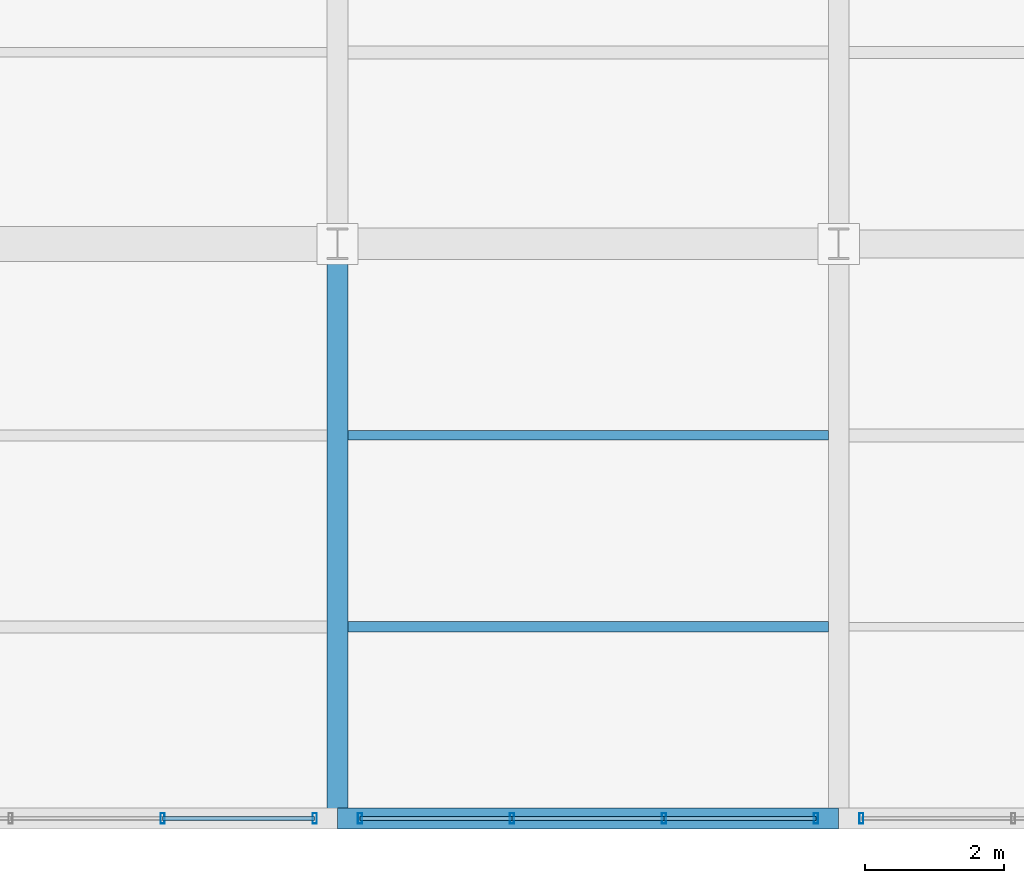
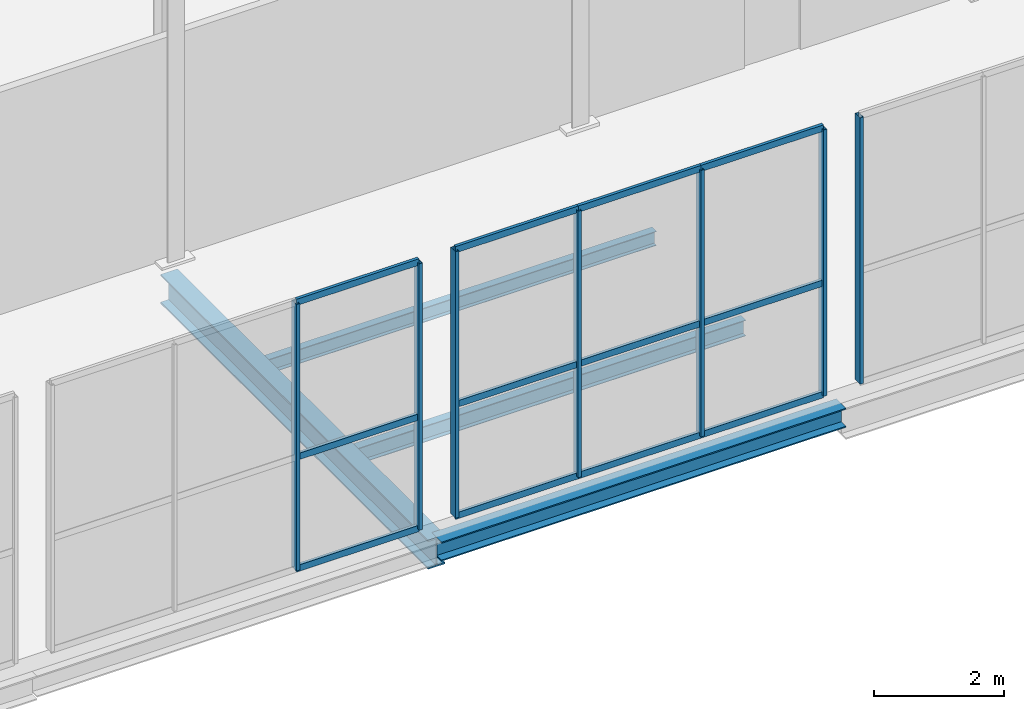
# One storey, part 76 of 147: 19 members, 4 beams, 3 elements without a shape of their own.
"""IFC4 building model written with IfcOpenShell, lengths in metres."""

from ifc_helpers import new_model, si_unit, direction, frame, origin, origin_2d, place, context, subcontext, project, spatial, hollow_rectangle, i_section, extrude, material, layer, layer_set, material_profile, profile_set, type_object, element, aggregate, save


model = new_model("IFC4")

# Units and contexts
model_context = context("Model", 3, precision=1e-05, world=origin(), true_north=direction((0.0, 1.0)))
body_context = subcontext(model_context, "Body", "Model", "MODEL_VIEW")
ifc_project = project(units=[si_unit("LENGTHUNIT", "METRE"), si_unit("AREAUNIT", "SQUARE_METRE"), si_unit("VOLUMEUNIT", "CUBIC_METRE"), si_unit("PLANEANGLEUNIT", "RADIAN"), si_unit("MASSUNIT", "GRAM", prefix="KILO")], contexts=[model_context])

# Site, building, storey
site_placement = place(None, origin())
site = spatial("IfcSite", under=ifc_project, at=site_placement, CompositionType="ELEMENT")
building_placement = place(site_placement, origin())
building = spatial("IfcBuilding", under=site, at=building_placement, Name="Sundgate Opera House", CompositionType="ELEMENT")
storey_placement = place(building_placement, frame((0.0, 0.0, 6.0)))
storey = spatial("IfcBuildingStorey", under=building, at=storey_placement, Name="L01", CompositionType="ELEMENT", Elevation=6.0)

# Beams
ifc_material_1 = material(Name="Steel S355J2", Category="steel")
ifc_material_profile_1 = material_profile(ifc_material_1, i_section(OverallWidth=0.300048828125, OverallDepth=0.360107421875, WebThickness=0.012451171875, FlangeThickness=0.0224609375, at=origin_2d()), Name="HEB 360")
ifc_profile_set_1 = profile_set([ifc_material_profile_1], Name="Steel S355J2")
beam_type_1 = type_object("IfcBeamType", Name="BM-GR-HEB360", PredefinedType="BEAM", material=ifc_profile_set_1)
beam_1_placement = place(storey_placement, frame((131.39990234375, 0.0, -0.47998046875), z_axis=(1.0, 0.0, 0.0), x_axis=(0.0, 1.0, 0.0)))
element("IfcBeam", 1, at=beam_1_placement, inside=storey, type_object=beam_type_1, Name="L01 Primary E-W Girder B1277", PredefinedType="BEAM", context=body_context, shape_type="SweptSolid", body=[
    extrude(i_section(OverallWidth=0.300048828125, OverallDepth=0.360107421875, WebThickness=0.012451171875, FlangeThickness=0.0224609375, at=origin_2d()), origin(), (0.0, 0.0, 1.0), 7.2001953125),
])
ifc_material_2 = material(Name="Steel S355J2", Category="steel")
ifc_material_profile_2 = material_profile(ifc_material_2, i_section(OverallWidth=0.300048828125, OverallDepth=0.550048828125, WebThickness=0.014892578125, FlangeThickness=0.029052734375, at=origin_2d()), Name="HEB 550")
ifc_profile_set_2 = profile_set([ifc_material_profile_2], Name="Steel S355J2")
beam_type_2 = type_object("IfcBeamType", Name="BM-GR-HEB550", PredefinedType="BEAM", material=ifc_profile_set_2)
beam_2_placement = place(storey_placement, frame((131.39990234375, 0.0, -0.574951171875), z_axis=(0.0, 1.0, 0.0), x_axis=(-1.0, 0.0, 0.0)))
element("IfcBeam", 2, at=beam_2_placement, inside=storey, type_object=beam_type_2, Name="L01 Primary N-S Girder B1207", PredefinedType="BEAM", context=body_context, shape_type="SweptSolid", body=[
    extrude(i_section(OverallWidth=0.300048828125, OverallDepth=0.550048828125, WebThickness=0.014892578125, FlangeThickness=0.029052734375, at=origin_2d()), origin(), (0.0, 0.0, 1.0), 8.25),
])
ifc_material_3 = material(Name="Steel S355J2", Category="steel")
ifc_material_profile_3 = material_profile(ifc_material_3, i_section(OverallWidth=0.135009765625, OverallDepth=0.27001953125, WebThickness=0.006591796875, FlangeThickness=0.01025390625, at=origin_2d()), Name="IPE 270")
ifc_profile_set_3 = profile_set([ifc_material_profile_3], Name="Steel S355J2")
beam_type_3 = type_object("IfcBeamType", Name="BM-JS-IPE270", PredefinedType="JOIST", material=ifc_profile_set_3)
beam_3_placement = place(storey_placement, frame((131.550048828125, 5.5, -0.43505859375), z_axis=(1.0, 0.0, 0.0), x_axis=(0.0, 1.0, 0.0)))
element("IfcBeam", 3, at=beam_3_placement, inside=storey, type_object=beam_type_3, Name="L01 Secondary Floor Joist B1489", PredefinedType="JOIST", context=body_context, shape_type="SweptSolid", body=[
    extrude(i_section(OverallWidth=0.135009765625, OverallDepth=0.27001953125, WebThickness=0.006591796875, FlangeThickness=0.01025390625, at=origin_2d()), origin(), (0.0, 0.0, 1.0), 6.89990234375),
])
ifc_material_4 = material(Name="Steel S355J2", Category="steel")
ifc_material_profile_4 = material_profile(ifc_material_4, i_section(OverallWidth=0.14990234375, OverallDepth=0.300048828125, WebThickness=0.007080078125, FlangeThickness=0.0107421875, at=origin_2d()), Name="IPE 300")
ifc_profile_set_4 = profile_set([ifc_material_profile_4], Name="Steel S355J2")
beam_type_4 = type_object("IfcBeamType", Name="BM-JS-IPE300", PredefinedType="JOIST", material=ifc_profile_set_4)
beam_4_placement = place(storey_placement, frame((131.550048828125, 2.75, -0.449951171875), z_axis=(1.0, 0.0, 0.0), x_axis=(0.0, 1.0, 0.0)))
element("IfcBeam", 4, at=beam_4_placement, inside=storey, type_object=beam_type_4, Name="L01 Secondary Floor Joist B1488", PredefinedType="JOIST", context=body_context, shape_type="SweptSolid", body=[
    extrude(i_section(OverallWidth=0.14990234375, OverallDepth=0.300048828125, WebThickness=0.007080078125, FlangeThickness=0.0107421875, at=origin_2d()), origin(), (0.0, 0.0, 1.0), 6.89990234375),
])

# Curtain wall, members
ifc_material_5 = material(Name="Anodized aluminium and low-iron glass", Category="aluminium")
ifc_layer = layer(ifc_material_5, 0.14990234375)
ifc_layer_set = layer_set([ifc_layer], Name="Anodized aluminium and low-iron glass")
curtain_wall_type = type_object("IfcCurtainWallType", Name="CW-WORKSHOP-DARK", PredefinedType="NOTDEFINED", material=ifc_layer_set)
curtain_wall_1_placement = place(storey_placement, origin())
curtain_wall_1 = element("IfcCurtainWall", 5, at=curtain_wall_1_placement, inside=storey, type_object=curtain_wall_type, Name="L01 Curtain Wall CW139", PredefinedType="NOTDEFINED")
ifc_material_6 = material(Name="Anodized aluminium EN AW-6063", Category="aluminium")
ifc_material_profile_5 = material_profile(ifc_material_6, hollow_rectangle(XDim=0.06005859375, YDim=0.14990234375, WallThickness=0.00390625, at=origin_2d()), Name="CWM 150x60x4")
ifc_profile_set_5 = profile_set([ifc_material_profile_5], Name="Anodized aluminium EN AW-6063")
member_type_1 = type_object("IfcMemberType", Name="CWM-ALU-150x60", PredefinedType="MULLION", material=ifc_profile_set_5)
member_1_placement = place(storey_placement, frame((131.074951171875, 0.0, 0.0), z_axis=(0.0, 0.0, 1.0), x_axis=(1.0, 0.0, 0.0)))
member_1 = element("IfcMember", 6, at=member_1_placement, type_object=member_type_1, Name="CW139 Mullion 1", PredefinedType="MULLION", context=body_context, shape_type="SweptSolid", body=[
    extrude(hollow_rectangle(XDim=0.06005859375, YDim=0.14990234375, WallThickness=0.00390625, at=origin_2d()), origin(), (0.0, 0.0, 1.0), 5.014892578125),
])
member_2_placement = place(storey_placement, frame((128.8916015625, 0.0, 0.0), z_axis=(0.0, 0.0, 1.0), x_axis=(1.0, 0.0, 0.0)))
member_2 = element("IfcMember", 7, at=member_2_placement, type_object=member_type_1, Name="CW139 Mullion 2", PredefinedType="MULLION", context=body_context, shape_type="SweptSolid", body=[
    extrude(hollow_rectangle(XDim=0.06005859375, YDim=0.14990234375, WallThickness=0.00390625, at=origin_2d()), origin(), (0.0, 0.0, 1.0), 5.014892578125),
])

curtain_wall_2_placement = place(storey_placement, origin())
curtain_wall_2 = element("IfcCurtainWall", 8, at=curtain_wall_2_placement, inside=storey, type_object=curtain_wall_type, Name="L01 Curtain Wall CW140", PredefinedType="NOTDEFINED")
member_3_placement = place(storey_placement, frame((138.27490234375, 0.0, 0.0), z_axis=(0.0, 0.0, 1.0), x_axis=(1.0, 0.0, 0.0)))
member_3 = element("IfcMember", 9, at=member_3_placement, type_object=member_type_1, Name="CW140 Mullion 1", PredefinedType="MULLION", context=body_context, shape_type="SweptSolid", body=[
    extrude(hollow_rectangle(XDim=0.06005859375, YDim=0.14990234375, WallThickness=0.00390625, at=origin_2d()), origin(), (0.0, 0.0, 1.0), 5.014892578125),
])
member_4_placement = place(storey_placement, frame((136.091552734375, 0.0, 0.0), z_axis=(0.0, 0.0, 1.0), x_axis=(1.0, 0.0, 0.0)))
member_4 = element("IfcMember", 10, at=member_4_placement, type_object=member_type_1, Name="CW140 Mullion 2", PredefinedType="MULLION", context=body_context, shape_type="SweptSolid", body=[
    extrude(hollow_rectangle(XDim=0.06005859375, YDim=0.14990234375, WallThickness=0.00390625, at=origin_2d()), origin(), (0.0, 0.0, 1.0), 5.014892578125),
])
member_5_placement = place(storey_placement, frame((133.908447265625, 0.0, 0.0), z_axis=(0.0, 0.0, 1.0), x_axis=(1.0, 0.0, 0.0)))
member_5 = element("IfcMember", 11, at=member_5_placement, type_object=member_type_1, Name="CW140 Mullion 3", PredefinedType="MULLION", context=body_context, shape_type="SweptSolid", body=[
    extrude(hollow_rectangle(XDim=0.06005859375, YDim=0.14990234375, WallThickness=0.00390625, at=origin_2d()), origin(), (0.0, 0.0, 1.0), 5.014892578125),
])
member_6_placement = place(storey_placement, frame((131.72509765625, 0.0, 0.0), z_axis=(0.0, 0.0, 1.0), x_axis=(1.0, 0.0, 0.0)))
member_6 = element("IfcMember", 12, at=member_6_placement, type_object=member_type_1, Name="CW140 Mullion 4", PredefinedType="MULLION", context=body_context, shape_type="SweptSolid", body=[
    extrude(hollow_rectangle(XDim=0.06005859375, YDim=0.14990234375, WallThickness=0.00390625, at=origin_2d()), origin(), (0.0, 0.0, 1.0), 5.014892578125),
])

# Curtain wall, member
curtain_wall_3_placement = place(storey_placement, origin())
curtain_wall_3 = element("IfcCurtainWall", 13, at=curtain_wall_3_placement, inside=storey, type_object=curtain_wall_type, Name="L01 Curtain Wall CW141", PredefinedType="NOTDEFINED")
member_7_placement = place(storey_placement, frame((138.925048828125, 0.0, 0.0), z_axis=(0.0, 0.0, 1.0), x_axis=(1.0, 0.0, 0.0)))
member_7 = element("IfcMember", 14, at=member_7_placement, type_object=member_type_1, Name="CW141 Mullion 4", PredefinedType="MULLION", context=body_context, shape_type="SweptSolid", body=[
    extrude(hollow_rectangle(XDim=0.06005859375, YDim=0.14990234375, WallThickness=0.00390625, at=origin_2d()), origin(), (0.0, 0.0, 1.0), 5.014892578125),
])
aggregate(curtain_wall_3, [member_7])

# Member
ifc_material_7 = material(Name="Anodized aluminium EN AW-6063", Category="aluminium")
ifc_material_profile_6 = material_profile(ifc_material_7, hollow_rectangle(XDim=0.054931640625, YDim=0.1201171875, WallThickness=0.00390625, at=origin_2d()), Name="CWT 120x55x4")
ifc_profile_set_6 = profile_set([ifc_material_profile_6], Name="Anodized aluminium EN AW-6063")
member_type_2 = type_object("IfcMemberType", Name="CWT-ALU-120x55", PredefinedType="USERDEFINED", material=ifc_profile_set_6)
member_8_placement = place(storey_placement, frame((131.074951171875, 0.0, 0.0), z_axis=(-1.0, 0.0, 0.0), x_axis=(0.0, -1.0, 0.0)))
member_8 = element("IfcMember", 15, at=member_8_placement, type_object=member_type_2, Name="CW139 Transom 1", ObjectType="TRANSOM", PredefinedType="USERDEFINED", context=body_context, shape_type="SweptSolid", body=[
    extrude(hollow_rectangle(XDim=0.054931640625, YDim=0.1201171875, WallThickness=0.00390625, at=origin_2d()), origin(), (0.0, 0.0, 1.0), 2.183349609375),
])

member_9_placement = place(storey_placement, frame((131.074951171875, 0.0, 2.10009765625), z_axis=(-1.0, 0.0, 0.0), x_axis=(0.0, -1.0, 0.0)))
member_9 = element("IfcMember", 16, at=member_9_placement, type_object=member_type_2, Name="CW139 Transom 2", ObjectType="TRANSOM", PredefinedType="USERDEFINED", context=body_context, shape_type="SweptSolid", body=[
    extrude(hollow_rectangle(XDim=0.054931640625, YDim=0.1201171875, WallThickness=0.00390625, at=origin_2d()), origin(), (0.0, 0.0, 1.0), 2.183349609375),
])

member_10_placement = place(storey_placement, frame((131.074951171875, 0.0, 5.014892578125), z_axis=(-1.0, 0.0, 0.0), x_axis=(0.0, -1.0, 0.0)))
member_10 = element("IfcMember", 17, at=member_10_placement, type_object=member_type_2, Name="CW139 Transom 3", ObjectType="TRANSOM", PredefinedType="USERDEFINED", context=body_context, shape_type="SweptSolid", body=[
    extrude(hollow_rectangle(XDim=0.054931640625, YDim=0.1201171875, WallThickness=0.00390625, at=origin_2d()), origin(), (0.0, 0.0, 1.0), 2.183349609375),
])

aggregate(curtain_wall_1, [member_1, member_2, member_8, member_9, member_10])

member_11_placement = place(storey_placement, frame((138.27490234375, 0.0, 0.0), z_axis=(-1.0, 0.0, 0.0), x_axis=(0.0, -1.0, 0.0)))
member_11 = element("IfcMember", 18, at=member_11_placement, type_object=member_type_2, Name="CW140 Transom 1", ObjectType="TRANSOM", PredefinedType="USERDEFINED", context=body_context, shape_type="SweptSolid", body=[
    extrude(hollow_rectangle(XDim=0.054931640625, YDim=0.1201171875, WallThickness=0.00390625, at=origin_2d()), origin(), (0.0, 0.0, 1.0), 2.183349609375),
])

member_12_placement = place(storey_placement, frame((138.27490234375, 0.0, 2.10009765625), z_axis=(-1.0, 0.0, 0.0), x_axis=(0.0, -1.0, 0.0)))
member_12 = element("IfcMember", 19, at=member_12_placement, type_object=member_type_2, Name="CW140 Transom 2", ObjectType="TRANSOM", PredefinedType="USERDEFINED", context=body_context, shape_type="SweptSolid", body=[
    extrude(hollow_rectangle(XDim=0.054931640625, YDim=0.1201171875, WallThickness=0.00390625, at=origin_2d()), origin(), (0.0, 0.0, 1.0), 2.183349609375),
])

member_13_placement = place(storey_placement, frame((138.27490234375, 0.0, 5.014892578125), z_axis=(-1.0, 0.0, 0.0), x_axis=(0.0, -1.0, 0.0)))
member_13 = element("IfcMember", 20, at=member_13_placement, type_object=member_type_2, Name="CW140 Transom 3", ObjectType="TRANSOM", PredefinedType="USERDEFINED", context=body_context, shape_type="SweptSolid", body=[
    extrude(hollow_rectangle(XDim=0.054931640625, YDim=0.1201171875, WallThickness=0.00390625, at=origin_2d()), origin(), (0.0, 0.0, 1.0), 2.183349609375),
])

member_14_placement = place(storey_placement, frame((136.091552734375, 0.0, 0.0), z_axis=(-1.0, 0.0, 0.0), x_axis=(0.0, -1.0, 0.0)))
member_14 = element("IfcMember", 21, at=member_14_placement, type_object=member_type_2, Name="CW140 Transom 4", ObjectType="TRANSOM", PredefinedType="USERDEFINED", context=body_context, shape_type="SweptSolid", body=[
    extrude(hollow_rectangle(XDim=0.054931640625, YDim=0.1201171875, WallThickness=0.00390625, at=origin_2d()), origin(), (0.0, 0.0, 1.0), 2.18310546875),
])

member_15_placement = place(storey_placement, frame((136.091552734375, 0.0, 2.10009765625), z_axis=(-1.0, 0.0, 0.0), x_axis=(0.0, -1.0, 0.0)))
member_15 = element("IfcMember", 22, at=member_15_placement, type_object=member_type_2, Name="CW140 Transom 5", ObjectType="TRANSOM", PredefinedType="USERDEFINED", context=body_context, shape_type="SweptSolid", body=[
    extrude(hollow_rectangle(XDim=0.054931640625, YDim=0.1201171875, WallThickness=0.00390625, at=origin_2d()), origin(), (0.0, 0.0, 1.0), 2.18310546875),
])

member_16_placement = place(storey_placement, frame((136.091552734375, 0.0, 5.014892578125), z_axis=(-1.0, 0.0, 0.0), x_axis=(0.0, -1.0, 0.0)))
member_16 = element("IfcMember", 23, at=member_16_placement, type_object=member_type_2, Name="CW140 Transom 6", ObjectType="TRANSOM", PredefinedType="USERDEFINED", context=body_context, shape_type="SweptSolid", body=[
    extrude(hollow_rectangle(XDim=0.054931640625, YDim=0.1201171875, WallThickness=0.00390625, at=origin_2d()), origin(), (0.0, 0.0, 1.0), 2.18310546875),
])

member_17_placement = place(storey_placement, frame((133.908447265625, 0.0, 0.0), z_axis=(-1.0, 0.0, 0.0), x_axis=(0.0, -1.0, 0.0)))
member_17 = element("IfcMember", 24, at=member_17_placement, type_object=member_type_2, Name="CW140 Transom 7", ObjectType="TRANSOM", PredefinedType="USERDEFINED", context=body_context, shape_type="SweptSolid", body=[
    extrude(hollow_rectangle(XDim=0.054931640625, YDim=0.1201171875, WallThickness=0.00390625, at=origin_2d()), origin(), (0.0, 0.0, 1.0), 2.183349609375),
])

member_18_placement = place(storey_placement, frame((133.908447265625, 0.0, 2.10009765625), z_axis=(-1.0, 0.0, 0.0), x_axis=(0.0, -1.0, 0.0)))
member_18 = element("IfcMember", 25, at=member_18_placement, type_object=member_type_2, Name="CW140 Transom 8", ObjectType="TRANSOM", PredefinedType="USERDEFINED", context=body_context, shape_type="SweptSolid", body=[
    extrude(hollow_rectangle(XDim=0.054931640625, YDim=0.1201171875, WallThickness=0.00390625, at=origin_2d()), origin(), (0.0, 0.0, 1.0), 2.183349609375),
])

member_19_placement = place(storey_placement, frame((133.908447265625, 0.0, 5.014892578125), z_axis=(-1.0, 0.0, 0.0), x_axis=(0.0, -1.0, 0.0)))
member_19 = element("IfcMember", 26, at=member_19_placement, type_object=member_type_2, Name="CW140 Transom 9", ObjectType="TRANSOM", PredefinedType="USERDEFINED", context=body_context, shape_type="SweptSolid", body=[
    extrude(hollow_rectangle(XDim=0.054931640625, YDim=0.1201171875, WallThickness=0.00390625, at=origin_2d()), origin(), (0.0, 0.0, 1.0), 2.183349609375),
])

aggregate(curtain_wall_2, [member_3, member_4, member_5, member_6, member_11, member_12, member_13, member_14, member_15, member_16, member_17, member_18, member_19])

save(model, "model.ifc")
